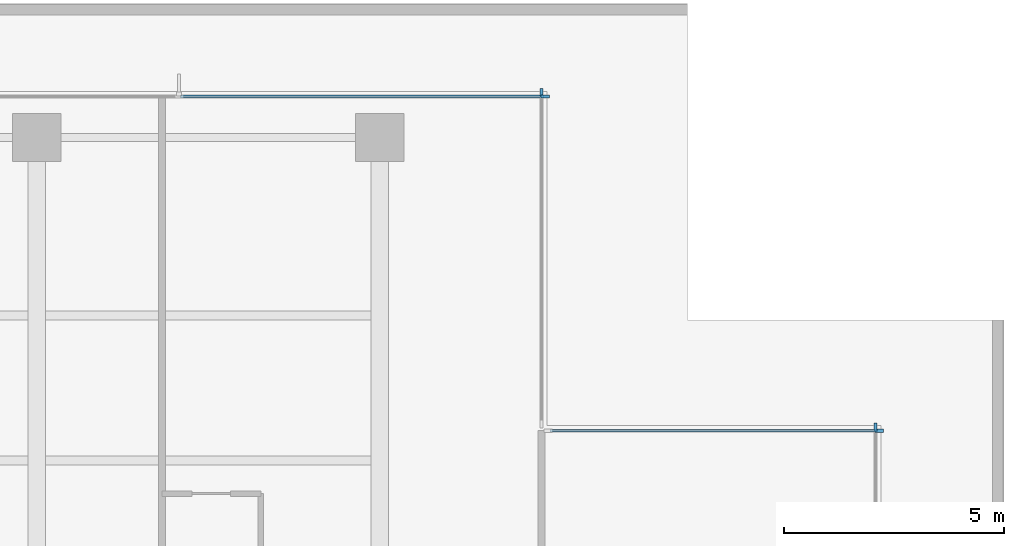
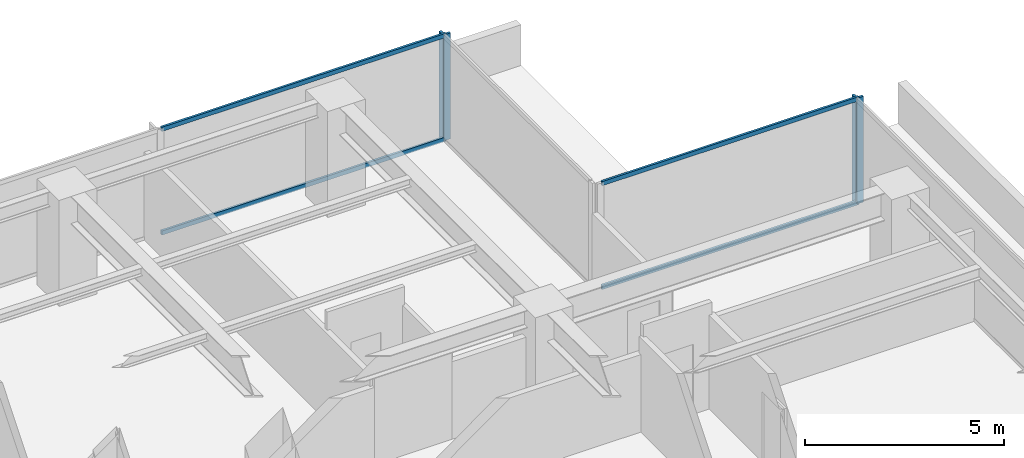
# One storey, part 5 of 16: 8 members, 4 elements without a shape of their own.
"""IFC4 building model written with IfcOpenShell, lengths in metres."""

from ifc_helpers import new_model, si_unit, direction, frame, origin, origin_2d, place, context, subcontext, project, spatial, rectangle, extrude, material, layer, layer_set, material_profile, profile_set, type_object, element, aggregate, save


model = new_model("IFC4")

# Units and contexts
model_context = context("Model", 3, precision=1e-05, world=origin(), true_north=direction((0.0, 1.0)))
body_context = subcontext(model_context, "Body", "Model", "MODEL_VIEW")
ifc_project = project(units=[si_unit("LENGTHUNIT", "METRE"), si_unit("AREAUNIT", "SQUARE_METRE"), si_unit("VOLUMEUNIT", "CUBIC_METRE"), si_unit("PLANEANGLEUNIT", "RADIAN"), si_unit("MASSUNIT", "GRAM", prefix="KILO")], contexts=[model_context])

# Site, building, storey
site_placement = place(None, origin())
site = spatial("IfcSite", under=ifc_project, at=site_placement, CompositionType="ELEMENT")
building_placement = place(site_placement, origin())
building = spatial("IfcBuilding", under=site, at=building_placement, Name="Qalmaran Belvedere Hotel", CompositionType="ELEMENT")
storey_placement = place(building_placement, frame((0.0, 0.0, 138.60009765625)))
storey = spatial("IfcBuildingStorey", under=building, at=storey_placement, Name="L34", CompositionType="ELEMENT", Elevation=138.60009765625)

# Curtain wall, member
ifc_material = material(Name="Anodised Bronze Aluminium", Category="aluminium")
ifc_layer = layer(ifc_material, 0.195068359375, Name="Anodised Bronze Aluminium")
ifc_layer_set = layer_set([ifc_layer], Name="Anodised Bronze Aluminium")
curtain_wall_type = type_object("IfcCurtainWallType", Name="CW4-TOWER-HIGHMID", PredefinedType="NOTDEFINED", material=ifc_layer_set)
curtain_wall_1_placement = place(storey_placement, origin())
curtain_wall_1 = element("IfcCurtainWall", 1, at=curtain_wall_1_placement, inside=storey, type_object=curtain_wall_type, Name="L34 Curtain Wall CW4", PredefinedType="NOTDEFINED")
ifc_material_profile_1 = material_profile(ifc_material, rectangle(XDim=0.070068359375, YDim=0.18994140625, at=origin_2d()), Name="CWM70X190")
ifc_profile_set_1 = profile_set([ifc_material_profile_1], Name="Anodised Bronze Aluminium")
member_type_1 = type_object("IfcMemberType", Name="CWM-70X190", PredefinedType="MULLION", material=ifc_profile_set_1)
member_1_placement = place(storey_placement, frame((56.080078125, 36.864990234375, 0.0), z_axis=(0.0, 0.0, 1.0), x_axis=(-1.0, 0.0, 0.0)))
member_1 = element("IfcMember", 2, at=member_1_placement, type_object=member_type_1, Name="CW4 mullion 4", PredefinedType="MULLION", context=body_context, shape_type="SweptSolid", body=[
    extrude(rectangle(XDim=0.070068359375, YDim=0.18994140625, at=origin_2d()), origin(), (0.0, 0.0, 1.0), 3.25),
])
aggregate(curtain_wall_1, [member_1])

curtain_wall_2_placement = place(storey_placement, origin())
curtain_wall_2 = element("IfcCurtainWall", 3, at=curtain_wall_2_placement, inside=storey, type_object=curtain_wall_type, Name="L34 Curtain Wall CW4", PredefinedType="NOTDEFINED")
member_2_placement = place(storey_placement, frame((56.1650390625, 36.780029296875, 0.0), z_axis=(0.0, 0.0, 1.0), x_axis=(0.0, -1.0, 0.0)))
member_2 = element("IfcMember", 4, at=member_2_placement, type_object=member_type_1, Name="CW4 mullion 1", PredefinedType="MULLION", context=body_context, shape_type="SweptSolid", body=[
    extrude(rectangle(XDim=0.070068359375, YDim=0.18994140625, at=origin_2d()), origin(), (0.0, 0.0, 1.0), 3.25),
])

curtain_wall_3_placement = place(storey_placement, origin())
curtain_wall_3 = element("IfcCurtainWall", 5, at=curtain_wall_3_placement, inside=storey, type_object=curtain_wall_type, Name="L34 Curtain Wall CW4", PredefinedType="NOTDEFINED")
member_3_placement = place(storey_placement, frame((48.47998046875, 44.465087890625, 0.0), z_axis=(0.0, 0.0, 1.0), x_axis=(-1.0, 0.0, 0.0)))
member_3 = element("IfcMember", 6, at=member_3_placement, type_object=member_type_1, Name="CW4 mullion 2", PredefinedType="MULLION", context=body_context, shape_type="SweptSolid", body=[
    extrude(rectangle(XDim=0.070068359375, YDim=0.18994140625, at=origin_2d()), origin(), (0.0, 0.0, 1.0), 3.25),
])
aggregate(curtain_wall_3, [member_3])

curtain_wall_4_placement = place(storey_placement, origin())
curtain_wall_4 = element("IfcCurtainWall", 7, at=curtain_wall_4_placement, inside=storey, type_object=curtain_wall_type, Name="L34 Curtain Wall CW4", PredefinedType="NOTDEFINED")
member_4_placement = place(storey_placement, frame((48.56494140625, 44.3798828125, 0.0), z_axis=(0.0, 0.0, 1.0), x_axis=(0.0, -1.0, 0.0)))
member_4 = element("IfcMember", 8, at=member_4_placement, type_object=member_type_1, Name="CW4 mullion 1", PredefinedType="MULLION", context=body_context, shape_type="SweptSolid", body=[
    extrude(rectangle(XDim=0.070068359375, YDim=0.18994140625, at=origin_2d()), origin(), (0.0, 0.0, 1.0), 3.25),
])

# Member
ifc_material_profile_2 = material_profile(ifc_material, rectangle(XDim=0.06494140625, YDim=0.1298828125, at=origin_2d()), Name="CWT65X130")
ifc_profile_set_2 = profile_set([ifc_material_profile_2], Name="Anodised Bronze Aluminium")
member_type_2 = type_object("IfcMemberType", Name="CWT-65X130", PredefinedType="USERDEFINED", material=ifc_profile_set_2)
member_5_placement = place(storey_placement, frame((56.1298828125, 36.780029296875, 0.032470703125), z_axis=(-1.0, 0.0, 0.0), x_axis=(0.0, -1.0, 0.0)))
member_5 = element("IfcMember", 9, at=member_5_placement, type_object=member_type_2, Name="CW4 transom 1.1", ObjectType="TRANSOM", PredefinedType="USERDEFINED", context=body_context, shape_type="SweptSolid", body=[
    extrude(rectangle(XDim=0.06494140625, YDim=0.1298828125, at=origin_2d()), origin(), (0.0, 0.0, 1.0), 7.4599609375),
])

member_6_placement = place(storey_placement, frame((56.1298828125, 36.780029296875, 3.21728515625), z_axis=(-1.0, 0.0, 0.0), x_axis=(0.0, -1.0, 0.0)))
member_6 = element("IfcMember", 10, at=member_6_placement, type_object=member_type_2, Name="CW4 transom 1.2", ObjectType="TRANSOM", PredefinedType="USERDEFINED", context=body_context, shape_type="SweptSolid", body=[
    extrude(rectangle(XDim=0.06494140625, YDim=0.1298828125, at=origin_2d()), origin(), (0.0, 0.0, 1.0), 7.4599609375),
])

aggregate(curtain_wall_2, [member_2, member_5, member_6])

member_7_placement = place(storey_placement, frame((48.530029296875, 44.3798828125, 0.032470703125), z_axis=(-1.0, 0.0, 0.0), x_axis=(0.0, -1.0, 0.0)))
member_7 = element("IfcMember", 11, at=member_7_placement, type_object=member_type_2, Name="CW4 transom 1.1", ObjectType="TRANSOM", PredefinedType="USERDEFINED", context=body_context, shape_type="SweptSolid", body=[
    extrude(rectangle(XDim=0.06494140625, YDim=0.1298828125, at=origin_2d()), origin(), (0.0, 0.0, 1.0), 8.257568359375),
])

member_8_placement = place(storey_placement, frame((48.530029296875, 44.3798828125, 3.21728515625), z_axis=(-1.0, 0.0, 0.0), x_axis=(0.0, -1.0, 0.0)))
member_8 = element("IfcMember", 12, at=member_8_placement, type_object=member_type_2, Name="CW4 transom 1.2", ObjectType="TRANSOM", PredefinedType="USERDEFINED", context=body_context, shape_type="SweptSolid", body=[
    extrude(rectangle(XDim=0.06494140625, YDim=0.1298828125, at=origin_2d()), origin(), (0.0, 0.0, 1.0), 8.257568359375),
])

aggregate(curtain_wall_4, [member_4, member_7, member_8])

save(model, "model.ifc")
